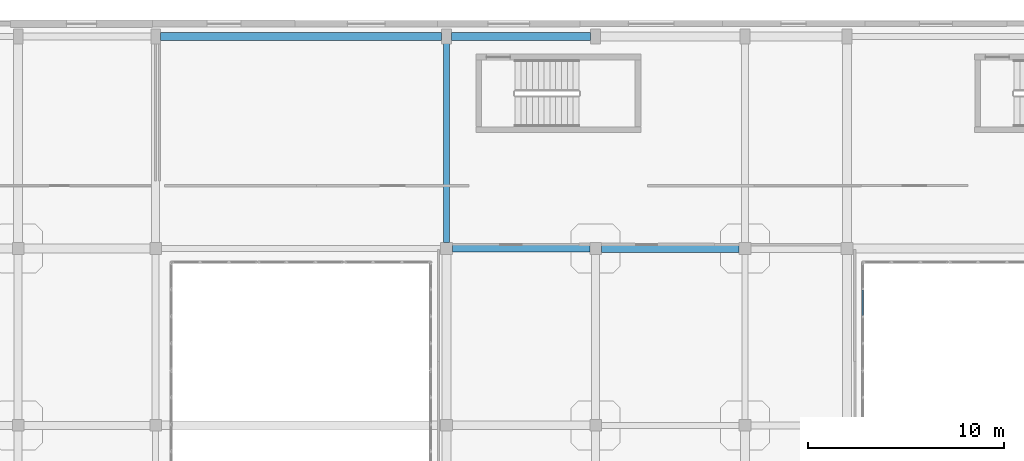
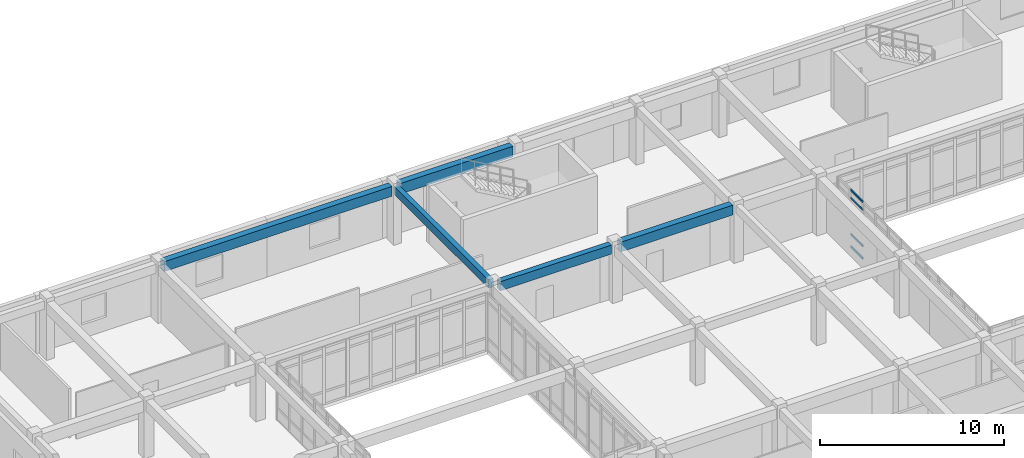
# One storey, part 104 of 146: 5 beams, 4 members, 1 element without a shape of its own.
"""IFC4 building model written with IfcOpenShell, lengths in metres."""

from ifc_helpers import new_model, si_unit, direction, frame, origin, origin_2d, place, context, subcontext, project, spatial, rectangle, hollow_rectangle, extrude, material, layer, layer_set, material_profile, profile_set, type_object, element, aggregate, save


model = new_model("IFC4")

# Units and contexts
model_context = context("Model", 3, precision=1e-05, world=origin(), true_north=direction((0.0, 1.0)))
body_context = subcontext(model_context, "Body", "Model", "MODEL_VIEW")
ifc_project = project(units=[si_unit("LENGTHUNIT", "METRE"), si_unit("AREAUNIT", "SQUARE_METRE"), si_unit("VOLUMEUNIT", "CUBIC_METRE"), si_unit("PLANEANGLEUNIT", "RADIAN"), si_unit("MASSUNIT", "GRAM", prefix="KILO")], contexts=[model_context])

# Site, building, storey
site_placement = place(None, origin())
site = spatial("IfcSite", under=ifc_project, at=site_placement, CompositionType="ELEMENT")
building_placement = place(site_placement, origin())
building = spatial("IfcBuilding", under=site, at=building_placement, Name="Valcora Specialist Clinic", CompositionType="ELEMENT")
storey_placement = place(building_placement, frame((0.0, 0.0, 9.52001953125)))
storey = spatial("IfcBuildingStorey", under=building, at=storey_placement, Name="L02", CompositionType="ELEMENT", Elevation=9.52001953125)

# Beams
ifc_material_1 = material(Name="Concrete C40/50", Category="concrete")
ifc_material_profile_1 = material_profile(ifc_material_1, rectangle(XDim=0.300048828125, YDim=0.550048828125, at=origin_2d()), Name="RC-BM-300X550")
ifc_profile_set_1 = profile_set([ifc_material_profile_1], Name="Concrete C40/50")
beam_type_1 = type_object("IfcBeamType", Name="TY-BM-RC300X550", PredefinedType="BEAM", material=ifc_profile_set_1)
beam_1_placement = place(storey_placement, frame((90.800048828125, 99.5, 3.544921875), z_axis=(0.0, 1.0, 0.0), x_axis=(-1.0, 0.0, 0.0)))
element("IfcBeam", 1, at=beam_1_placement, inside=storey, type_object=beam_type_1, Name="Beam BM-L02-0749", PredefinedType="BEAM", context=body_context, shape_type="SweptSolid", body=[
    extrude(rectangle(XDim=0.300048828125, YDim=0.550048828125, at=origin_2d()), origin(), (0.0, 0.0, 1.0), 10.25),
])
ifc_material_profile_2 = material_profile(ifc_material_1, rectangle(XDim=0.35009765625, YDim=0.60009765625, at=origin_2d()), Name="RC-BM-350X600")
ifc_profile_set_2 = profile_set([ifc_material_profile_2], Name="Concrete C40/50")
beam_type_2 = type_object("IfcBeamType", Name="TY-BM-RC350X600", PredefinedType="BEAM", material=ifc_profile_set_2)
beam_2_placement = place(storey_placement, frame((91.10009765625, 99.199951171875, 3.52001953125), z_axis=(1.0, 0.0, 0.0), x_axis=(0.0, 1.0, 0.0)))
element("IfcBeam", 2, at=beam_2_placement, inside=storey, type_object=beam_type_2, Name="Beam BM-L02-0722", PredefinedType="BEAM", context=body_context, shape_type="SweptSolid", body=[
    extrude(rectangle(XDim=0.35009765625, YDim=0.60009765625, at=origin_2d()), origin(), (0.0, 0.0, 1.0), 7.0),
])
ifc_material_profile_3 = material_profile(ifc_material_1, rectangle(XDim=0.39990234375, YDim=0.64990234375, at=origin_2d()), Name="RC-BM-400X650")
ifc_profile_set_3 = profile_set([ifc_material_profile_3], Name="Concrete C40/50")
beam_type_3 = type_object("IfcBeamType", Name="TY-BM-RC400X650", PredefinedType="BEAM", material=ifc_profile_set_3)
beam_3_placement = place(storey_placement, frame((98.699951171875, 99.199951171875, 3.494873046875), z_axis=(1.0, 0.0, 0.0), x_axis=(0.0, 1.0, 0.0)))
element("IfcBeam", 3, at=beam_3_placement, inside=storey, type_object=beam_type_3, Name="Beam BM-L02-0723", PredefinedType="BEAM", context=body_context, shape_type="SweptSolid", body=[
    extrude(rectangle(XDim=0.39990234375, YDim=0.64990234375, at=origin_2d()), origin(), (0.0, 0.0, 1.0), 7.0),
])
beam_4_placement = place(storey_placement, frame((76.25, 110.0, 3.494873046875), z_axis=(1.0, 0.0, 0.0), x_axis=(0.0, 1.0, 0.0)))
element("IfcBeam", 4, at=beam_4_placement, inside=storey, type_object=beam_type_3, Name="Beam BM-L02-0729", PredefinedType="BEAM", context=body_context, shape_type="SweptSolid", body=[
    extrude(rectangle(XDim=0.39990234375, YDim=0.64990234375, at=origin_2d()), origin(), (0.0, 0.0, 1.0), 14.300048828125),
])
ifc_material_profile_4 = material_profile(ifc_material_1, rectangle(XDim=0.39990234375, YDim=0.699951171875, at=origin_2d()), Name="RC-BM-400X700")
ifc_profile_set_4 = profile_set([ifc_material_profile_4], Name="Concrete C40/50")
beam_type_4 = type_object("IfcBeamType", Name="TY-BM-RC400X700", PredefinedType="BEAM", material=ifc_profile_set_4)
beam_5_placement = place(storey_placement, frame((91.050048828125, 110.0, 3.469970703125), z_axis=(1.0, 0.0, 0.0), x_axis=(0.0, 1.0, 0.0)))
element("IfcBeam", 5, at=beam_5_placement, inside=storey, type_object=beam_type_4, Name="Beam BM-L02-0730", PredefinedType="BEAM", context=body_context, shape_type="SweptSolid", body=[
    extrude(rectangle(XDim=0.39990234375, YDim=0.699951171875, at=origin_2d()), origin(), (0.0, 0.0, 1.0), 7.099853515625),
])

# Curtain wall, members
ifc_material_2 = material(Name="Anodized Bronze Aluminium 6063-T6", Category="aluminium")
ifc_layer = layer(ifc_material_2, 0.175048828125)
ifc_layer_set = layer_set([ifc_layer], Name="Anodized Bronze Aluminium 6063-T6")
curtain_wall_type = type_object("IfcCurtainWallType", Name="TY-CW-CRT15", PredefinedType="NOTDEFINED", material=ifc_layer_set)
curtain_wall_placement = place(storey_placement, origin())
curtain_wall = element("IfcCurtainWall", 6, at=curtain_wall_placement, inside=storey, type_object=curtain_wall_type, Name="Curtain wall CW-L02-114", PredefinedType="NOTDEFINED")
ifc_material_profile_5 = material_profile(ifc_material_2, hollow_rectangle(XDim=0.06494140625, YDim=0.1298828125, WallThickness=0.00390625, at=origin_2d()), Name="AL-TRN-65X130")
ifc_profile_set_5 = profile_set([ifc_material_profile_5], Name="Anodized Bronze Aluminium 6063-T6")
member_type = type_object("IfcMemberType", Name="TY-CWT-65X130", PredefinedType="USERDEFINED", material=ifc_profile_set_5)
member_1_placement = place(storey_placement, frame((112.0, 97.092529296875, 0.032470703125), z_axis=(0.0, -1.0, 0.0), x_axis=(1.0, 0.0, 0.0)))
member_1 = element("IfcMember", 7, at=member_1_placement, type_object=member_type, Name="CW-CRT-15 transom 2.1", ObjectType="TRANSOM", PredefinedType="USERDEFINED", context=body_context, shape_type="SweptSolid", body=[
    extrude(hollow_rectangle(XDim=0.06494140625, YDim=0.1298828125, WallThickness=0.00390625, at=origin_2d()), origin(), (0.0, 0.0, 1.0), 1.31005859375),
])
member_2_placement = place(storey_placement, frame((112.0, 97.092529296875, 0.85009765625), z_axis=(0.0, -1.0, 0.0), x_axis=(1.0, 0.0, 0.0)))
member_2 = element("IfcMember", 8, at=member_2_placement, type_object=member_type, Name="CW-CRT-15 transom 2.2", ObjectType="TRANSOM", PredefinedType="USERDEFINED", context=body_context, shape_type="SweptSolid", body=[
    extrude(hollow_rectangle(XDim=0.06494140625, YDim=0.1298828125, WallThickness=0.00390625, at=origin_2d()), origin(), (0.0, 0.0, 1.0), 1.31005859375),
])
member_3_placement = place(storey_placement, frame((112.0, 97.092529296875, 3.27001953125), z_axis=(0.0, -1.0, 0.0), x_axis=(1.0, 0.0, 0.0)))
member_3 = element("IfcMember", 9, at=member_3_placement, type_object=member_type, Name="CW-CRT-15 transom 2.3", ObjectType="TRANSOM", PredefinedType="USERDEFINED", context=body_context, shape_type="SweptSolid", body=[
    extrude(hollow_rectangle(XDim=0.06494140625, YDim=0.1298828125, WallThickness=0.00390625, at=origin_2d()), origin(), (0.0, 0.0, 1.0), 1.31005859375),
])
member_4_placement = place(storey_placement, frame((112.0, 97.092529296875, 3.78759765625), z_axis=(0.0, -1.0, 0.0), x_axis=(1.0, 0.0, 0.0)))
member_4 = element("IfcMember", 10, at=member_4_placement, type_object=member_type, Name="CW-CRT-15 transom 2.4", ObjectType="TRANSOM", PredefinedType="USERDEFINED", context=body_context, shape_type="SweptSolid", body=[
    extrude(hollow_rectangle(XDim=0.06494140625, YDim=0.1298828125, WallThickness=0.00390625, at=origin_2d()), origin(), (0.0, 0.0, 1.0), 1.31005859375),
])
aggregate(curtain_wall, [member_1, member_2, member_3, member_4])

save(model, "model.ifc")
